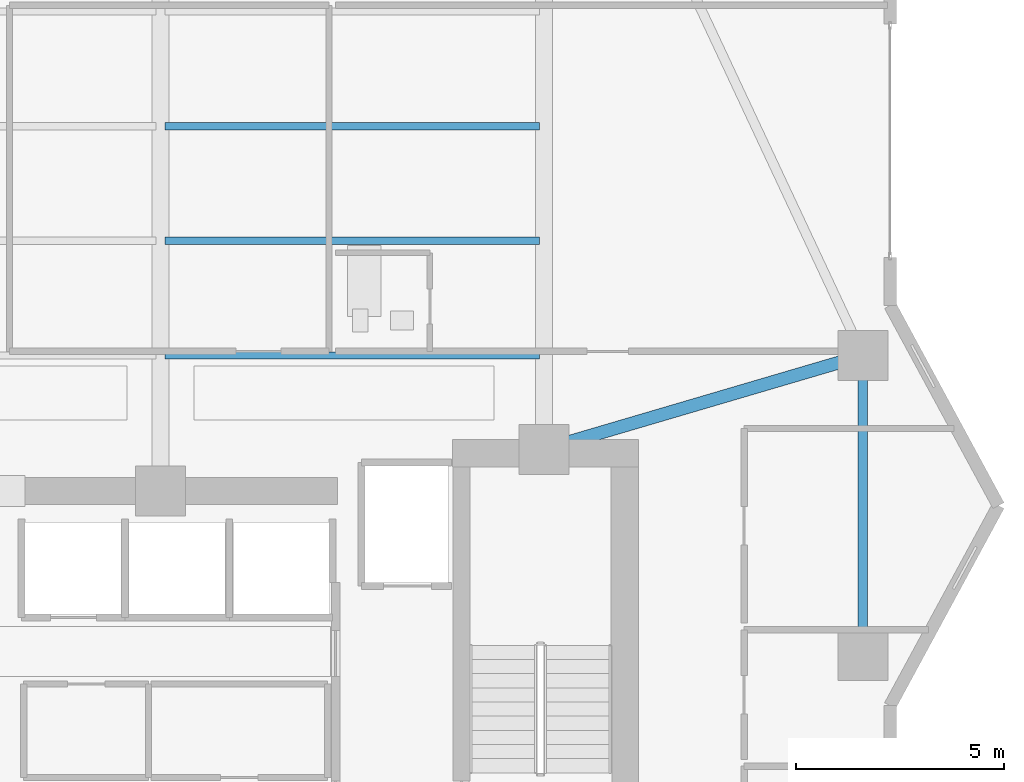
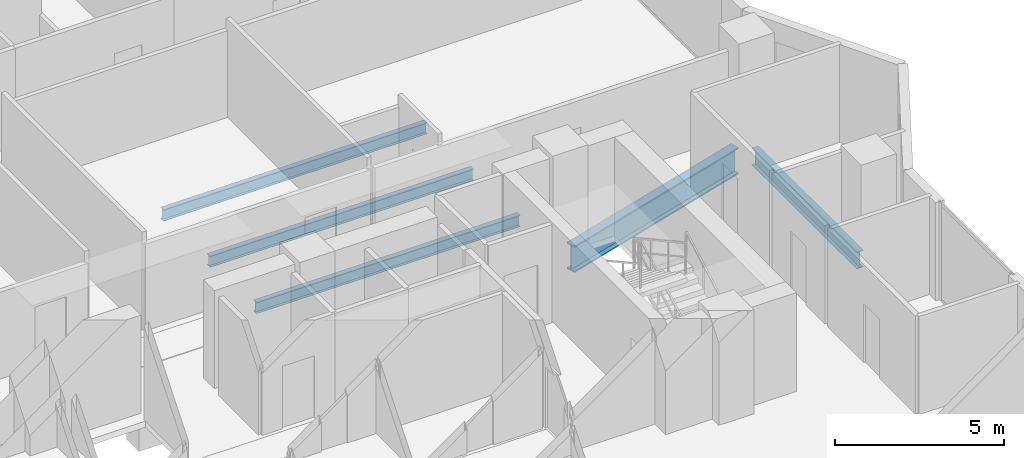
# One storey, part 15 of 33: 5 beams.
"""IFC4 building model written with IfcOpenShell, lengths in metres."""

import ifcopenshell
import ifcopenshell.guid

model = None  # the IFC model being written
_history = None  # IfcOwnerHistory: only IFC2X3 demands one
_inside = {}  # id of a spatial element -> (the spatial element, [elements in it])
_under = {}  # id of a project, library or spatial element -> (it, [spatial elements below it])
_declared = {}  # id of a project -> (the project, [libraries it declares])
_typed = {}  # id of a type object -> (the type object, [elements of that type])
_made_of = {}  # id of a material, layer set ... -> (it, [elements and type objects made of it])


def new_model(schema):
    """Start an empty IFC model of exactly this schema.

    Asked for "IFC4X3", IfcOpenShell would pick the latest addendum, in which some entities
    have other attributes; the version numbers below select the first issue.
    IFC2X3 requires an IfcOwnerHistory on every rooted entity: one is made here for all.
    """
    global model, _history
    if schema == "IFC4X3":
        model = ifcopenshell.file(schema_version=(4, 3, 0, 0))
    else:
        model = ifcopenshell.file(schema=schema)
    _inside.clear()
    _under.clear()
    _declared.clear()
    _typed.clear()
    _made_of.clear()
    _history = None
    if model.schema == "IFC2X3":
        org = make("IfcOrganization", Name="unknown")
        user = make(
            "IfcPersonAndOrganization",
            ThePerson=make("IfcPerson", FamilyName="unknown"),
            TheOrganization=org,
        )
        app = make(
            "IfcApplication",
            ApplicationDeveloper=org,
            Version="unknown",
            ApplicationFullName="unknown",
            ApplicationIdentifier="unknown",
        )
        _history = make(
            "IfcOwnerHistory",
            OwningUser=user,
            OwningApplication=app,
            ChangeAction="ADDED",
            CreationDate=0,
        )
    return model


def make(cls, **values):
    """One entity of the class cls with the attributes given. An attribute that is None is left unset."""
    return model.create_entity(
        cls, **{name: value for name, value in values.items() if value is not None}
    )


def rooted(cls, **values):
    """An entity with a GlobalId (a new one), such as an element, a storey or a relation."""
    return make(cls, GlobalId=ifcopenshell.guid.new(), OwnerHistory=_history, **values)


def si_unit(unit_type, name, prefix=None):
    """IfcSIUnit, for example si_unit("LENGTHUNIT", "METRE", prefix="MILLI")."""
    return make("IfcSIUnit", UnitType=unit_type, Prefix=prefix, Name=name)


def assignment(units):
    """IfcUnitAssignment: the units of a project."""
    return None if units is None else make("IfcUnitAssignment", Units=units)


def point(xyz):
    """IfcCartesianPoint."""
    return None if xyz is None else make("IfcCartesianPoint", Coordinates=xyz)


def direction(xyz):
    """IfcDirection."""
    return None if xyz is None else make("IfcDirection", DirectionRatios=xyz)


def frame(location, z_axis=None, x_axis=None):
    """IfcAxis2Placement3D, a coordinate frame: its origin and axes. An axis left out is left unset."""
    return make(
        "IfcAxis2Placement3D",
        Location=point(location),
        Axis=direction(z_axis),
        RefDirection=direction(x_axis),
    )


def frame_2d(location, x_axis=None):
    """IfcAxis2Placement2D, a coordinate frame in the plane: its origin and x axis."""
    return make(
        "IfcAxis2Placement2D", Location=point(location), RefDirection=direction(x_axis)
    )


def origin():
    """The frame at (0, 0, 0) with its axes left unset."""
    return frame((0.0, 0.0, 0.0))


def origin_2d():
    """The frame at (0, 0) in the plane with its x axis left unset."""
    return frame_2d((0.0, 0.0))


def place(relative_to, where):
    """IfcLocalPlacement: puts the frame where relative to a parent placement (None: the world)."""
    return make(
        "IfcLocalPlacement", PlacementRelTo=relative_to, RelativePlacement=where
    )


def context(
    kind, dimensions, precision=None, world=None, true_north=None, identifier=None
):
    """IfcGeometricRepresentationContext, for example the 3D "Model" context."""
    return make(
        "IfcGeometricRepresentationContext",
        ContextIdentifier=identifier,
        ContextType=kind,
        CoordinateSpaceDimension=dimensions,
        Precision=precision,
        WorldCoordinateSystem=world,
        TrueNorth=true_north,
    )


def subcontext(parent, identifier, kind, view, scale=None):
    """IfcGeometricRepresentationSubContext, for example "Body" below "Model"."""
    return make(
        "IfcGeometricRepresentationSubContext",
        ContextIdentifier=identifier,
        ContextType=kind,
        ParentContext=parent,
        TargetScale=scale,
        TargetView=view,
    )


def project(units=None, contexts=None):
    """IfcProject with its units and contexts."""
    return rooted(
        "IfcProject",
        Name="project",
        RepresentationContexts=contexts,
        UnitsInContext=assignment(units),
    )


def spatial(cls, under=None, at=None, **own):
    """A site, building, storey or space (cls), placed at a placement, below another one or the project."""
    s = rooted(cls, ObjectPlacement=at, **own)
    if under is not None:
        _under.setdefault(under.id(), (under, []))[1].append(s)
    return s


def profile(cls, at=None, kind="AREA", **sizes):
    """A parametric profile (cls). Its sizes go by their IFC names, for example OverallWidth=200.0."""
    return make(cls, ProfileType=kind, Position=at, **sizes)


def i_section(**sizes):
    """IfcIShapeProfileDef."""
    return profile("IfcIShapeProfileDef", **sizes)


def extrude(swept, where, along, depth):
    """IfcExtrudedAreaSolid: the profile swept, set in the frame where, extruded along a direction by depth."""
    return make(
        "IfcExtrudedAreaSolid",
        SweptArea=swept,
        Position=where,
        ExtrudedDirection=direction(along),
        Depth=depth,
    )


def shape(context_of_items, identifier, shape_type, items):
    """IfcShapeRepresentation: the items that make up one representation, for example the "Body"."""
    return make(
        "IfcShapeRepresentation",
        ContextOfItems=context_of_items,
        RepresentationIdentifier=identifier,
        RepresentationType=shape_type,
        Items=items,
    )


def material(Name=None, Category=None):
    """IfcMaterial."""
    return make("IfcMaterial", Name=Name, Category=Category)


def material_profile(
    of_material, cross_section, Name=None, Category=None, Priority=None
):
    """IfcMaterialProfile: a cross section and its material."""
    return make(
        "IfcMaterialProfile",
        Name=Name,
        Material=of_material,
        Profile=cross_section,
        Priority=Priority,
        Category=Category,
    )


def profile_set(profiles, Name=None, composite=None):
    """IfcMaterialProfileSet."""
    return make(
        "IfcMaterialProfileSet",
        Name=Name,
        MaterialProfiles=profiles,
        CompositeProfile=composite,
    )


def made_of(thing, what):
    """Note that an element or type object is made of a material, layer set ...; save() writes the relation."""
    if what is not None:
        _made_of.setdefault(what.id(), (what, []))[1].append(thing)
    return thing


def type_object(cls, material=None, **own):
    """A type object (cls), such as IfcWallType, which elements share."""
    return made_of(rooted(cls, **own), material)


def element(
    cls,
    number,
    at=None,
    inside=None,
    cuts=None,
    type_object=None,
    material=None,
    context=None,
    identifier="Body",
    shape_type=None,
    held_by="IfcProductDefinitionShape",
    body=None,
    shapes=None,
    **own,
):
    """One element of the class cls, such as IfcWall. Its Tag is "e" and its number.

    at: its placement. inside: the storey or other place that contains it. cuts: it is an
    opening in that element (IfcRelVoidsElement). A single representation is given by context,
    identifier, shape_type and body (its items); several are given by shapes. held_by: the class
    of the entity that holds the representations. save() writes the other relations.
    """
    e = rooted(cls, Tag="e%d" % number, ObjectPlacement=at, **own)
    if body is not None:
        shapes = [shape(context, identifier, shape_type, body)]
    if shapes is not None:
        e.Representation = make(held_by, Representations=shapes)
    if inside is not None:
        _inside.setdefault(inside.id(), (inside, []))[1].append(e)
    if cuts is not None:
        rooted(
            "IfcRelVoidsElement", RelatingBuildingElement=cuts, RelatedOpeningElement=e
        )
    if type_object is not None:
        _typed.setdefault(type_object.id(), (type_object, []))[1].append(e)
    return made_of(e, material)


def aggregate(whole, parts):
    """IfcRelAggregates: a whole, such as a stair, and the parts it consists of."""
    return rooted("IfcRelAggregates", RelatingObject=whole, RelatedObjects=parts)


def save(model, path):
    """Write the relations noted so far, then the file.

    IfcRelAggregates (storeys below a building ...), IfcRelContainedInSpatialStructure (elements
    in a storey), IfcRelDefinesByType, IfcRelAssociatesMaterial and IfcRelDeclares: one each for
    every whole, place, type object, material and project.
    """
    for whole, parts in _under.values():
        aggregate(whole, parts)
    for where, things in _inside.values():
        rooted(
            "IfcRelContainedInSpatialStructure",
            RelatedElements=things,
            RelatingStructure=where,
        )
    for kind, things in _typed.values():
        rooted("IfcRelDefinesByType", RelatedObjects=things, RelatingType=kind)
    for what, things in _made_of.values():
        rooted("IfcRelAssociatesMaterial", RelatedObjects=things, RelatingMaterial=what)
    for by, libraries in _declared.values():
        rooted("IfcRelDeclares", RelatingContext=by, RelatedDefinitions=libraries)
    model.write(path)


model = new_model("IFC4")

# Units and contexts
model_context = context("Model", 3, precision=1e-05, world=origin(), true_north=direction((0.0, 1.0)))
body_context = subcontext(model_context, "Body", "Model", "MODEL_VIEW")
ifc_project = project(units=[si_unit("LENGTHUNIT", "METRE"), si_unit("AREAUNIT", "SQUARE_METRE"), si_unit("VOLUMEUNIT", "CUBIC_METRE"), si_unit("PLANEANGLEUNIT", "RADIAN"), si_unit("MASSUNIT", "GRAM", prefix="KILO")], contexts=[model_context])

# Site, building, storey
site_placement = place(None, origin())
site = spatial("IfcSite", under=ifc_project, at=site_placement, CompositionType="ELEMENT")
building_placement = place(site_placement, origin())
building = spatial("IfcBuilding", under=site, at=building_placement, Name="Zuhayl Quay Hotel", CompositionType="ELEMENT")
storey_placement = place(building_placement, frame((0.0, 0.0, 199.89990234375)))
storey = spatial("IfcBuildingStorey", under=building, at=storey_placement, Name="L50", CompositionType="ELEMENT", Elevation=199.89990234375)

# Beams
ifc_material = material(Name="Steel ASTM A992 Grade 50", Category="steel")
ifc_material_profile_1 = material_profile(ifc_material, i_section(OverallWidth=0.22802734375, OverallDepth=0.60693359375, WebThickness=0.01123046875, FlangeThickness=0.017333984375, at=origin_2d()), Name="W24X76")
ifc_profile_set_1 = profile_set([ifc_material_profile_1], Name="Steel ASTM A992 Grade 50")
beam_type_1 = type_object("IfcBeamType", Name="BM_B3_W24X76", PredefinedType="BEAM", material=ifc_profile_set_1)
beam_1_placement = place(storey_placement, frame((21.449951171875, 9.89990234375, -0.5234375), z_axis=(0.0, 1.0, 0.0), x_axis=(-1.0, 0.0, 0.0)))
element("IfcBeam", 1, at=beam_1_placement, inside=storey, type_object=beam_type_1, Name="L50 Floor Beam RG_L50_05", PredefinedType="BEAM", context=body_context, shape_type="SweptSolid", body=[
    extrude(i_section(OverallWidth=0.22802734375, OverallDepth=0.60693359375, WebThickness=0.01123046875, FlangeThickness=0.017333984375, at=origin_2d()), origin(), (0.0, 0.0, 1.0), 6.2001953125),
])
ifc_material_profile_2 = material_profile(ifc_material, i_section(OverallWidth=0.177978515625, OverallDepth=0.406005859375, WebThickness=0.0078125, FlangeThickness=0.0126953125, at=origin_2d()), Name="W16X40")
ifc_profile_set_2 = profile_set([ifc_material_profile_2], Name="Steel ASTM A992 Grade 50")
beam_type_2 = type_object("IfcBeamType", Name="BM_J2B_W16X40", PredefinedType="JOIST", material=ifc_profile_set_2)
for number, where, z_axis, x_axis, name in (
    (2, (4.7060546875, 16.60009765625, -0.4228515625), (1.0, 0.0, 0.0), (0.0, 1.0, 0.0), "L50 Floor Beam FJ_L50_1_3"),
    (3, (4.7060546875, 19.35009765625, -0.4228515625), (1.0, 0.0, 0.0), (0.0, 1.0, 0.0), "L50 Floor Beam FJ_L50_2_3"),
    (4, (4.7060546875, 22.10009765625, -0.4228515625), (1.0, 0.0, 0.0), (0.0, 1.0, 0.0), "L50 Floor Beam FJ_L50_3_3"),
):
    element("IfcBeam", number, at=place(storey_placement, frame(where, z_axis=z_axis, x_axis=x_axis)), inside=storey, type_object=beam_type_2, Name=name, PredefinedType="JOIST", context=body_context, shape_type="SweptSolid", body=[
        extrude(i_section(OverallWidth=0.177978515625, OverallDepth=0.406005859375, WebThickness=0.0078125, FlangeThickness=0.0126953125, at=origin_2d()), origin(), (0.0, 0.0, 1.0), 8.988037109375),
    ])
ifc_material_profile_3 = material_profile(ifc_material, i_section(OverallWidth=0.31005859375, OverallDepth=0.949951171875, WebThickness=0.0244140625, FlangeThickness=0.0439453125, at=origin_2d()), Name="W36X256")
ifc_profile_set_3 = profile_set([ifc_material_profile_3], Name="Steel ASTM A992 Grade 50")
beam_type_3 = type_object("IfcBeamType", Name="BM_PG1_W36X256", PredefinedType="BEAM", material=ifc_profile_set_3)
beam_2_placement = place(storey_placement, frame((14.231689453125, 14.47705078125, -0.69482421875), z_axis=(0.959364948093, 0.282168205812, 0.0), x_axis=(-0.282168205812, 0.959364948093, 0.0)))
element("IfcBeam", 5, at=beam_2_placement, inside=storey, type_object=beam_type_3, Name="L50 Floor Beam FG_E_L50_2", PredefinedType="BEAM", context=body_context, shape_type="SweptSolid", body=[
    extrude(i_section(OverallWidth=0.31005859375, OverallDepth=0.949951171875, WebThickness=0.0244140625, FlangeThickness=0.0439453125, at=origin_2d()), origin(), (0.0, 0.0, 1.0), 7.02392578125),
])

save(model, "model.ifc")
